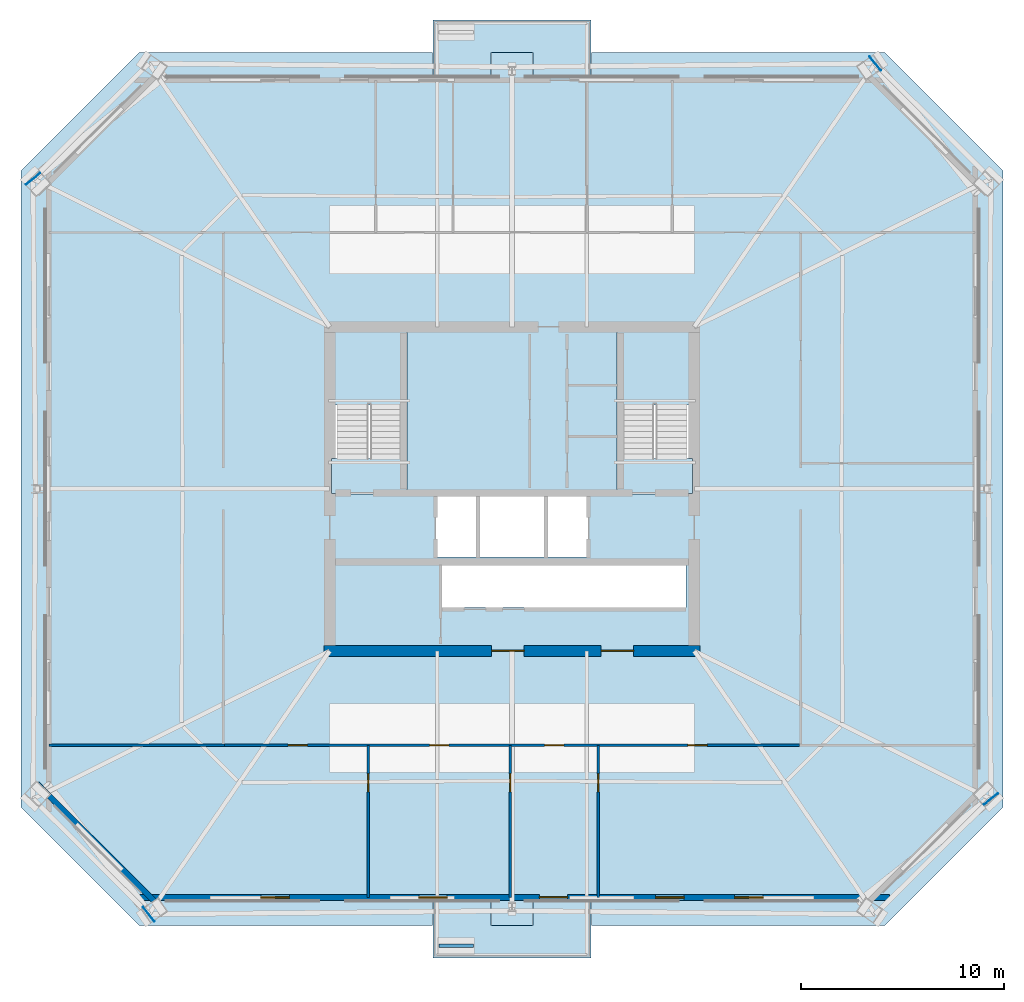
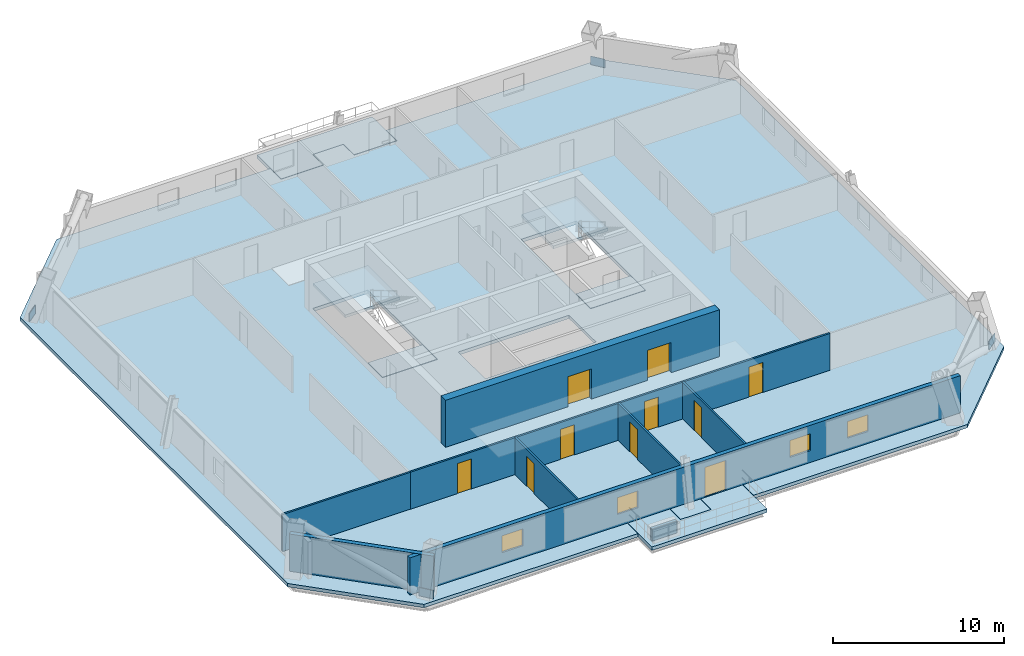
# One storey, part 2 of 7: 10 doors, 9 walls, 7 slabs, 4 plates, 4 windows, 14 openings, 2 elements without a shape of their own.
"""IFC4 building model written with IfcOpenShell, lengths in metres."""

from ifc_helpers import new_model, si_unit, direction, frame, frame_2d, origin, origin_2d, place, context, subcontext, project, spatial, polyline, rectangle, outline, extrude, material, layer, layer_set, type_object, element, fill, aggregate, save


model = new_model("IFC4")

# Units and contexts
model_context = context("Model", 3, precision=1e-05, world=origin(), true_north=direction((0.0, 1.0)))
body_context = subcontext(model_context, "Body", "Model", "MODEL_VIEW")
ifc_project = project(units=[si_unit("LENGTHUNIT", "METRE"), si_unit("AREAUNIT", "SQUARE_METRE"), si_unit("VOLUMEUNIT", "CUBIC_METRE"), si_unit("PLANEANGLEUNIT", "RADIAN"), si_unit("MASSUNIT", "GRAM", prefix="KILO")], contexts=[model_context])

# Site, building, storey
site_placement = place(None, origin())
site = spatial("IfcSite", under=ifc_project, at=site_placement, CompositionType="ELEMENT")
building_placement = place(site_placement, origin())
building = spatial("IfcBuilding", under=site, at=building_placement, Name="Caelvoria Tower", CompositionType="ELEMENT")
storey_placement = place(building_placement, frame((0.0, 0.0, 113.199951171875)))
storey = spatial("IfcBuildingStorey", under=building, at=storey_placement, Name="L29", CompositionType="ELEMENT", Elevation=113.199951171875)

# Plates
ifc_material_1 = material(Name="Structural Steel ASTM A572 Gr.50", Category="steel")
ifc_layer_1 = layer(ifc_material_1, 0.0400390625, Name="Structural Steel ASTM A572 Gr.50")
ifc_layer_set_1 = layer_set([ifc_layer_1], Name="Megaframe Node Gusset Plate 900x600x40 - Structural Steel ASTM A572 Gr.50")
plate_type = type_object("IfcPlateType", Name="Megaframe Node Gusset Plate 900x600x40", PredefinedType="USERDEFINED", material=ifc_layer_set_1)
for number, where, z_axis, x_axis, name in (
    (1, (69.6455078125, 16.69140625, 0.02001953125), (0.0, 0.0, 1.0), (-0.784793677723, -0.619757116463, 0.0), "Chamfer Mega Brace Gusset L29 SE"),
    (2, (63.9326171875, 53.00244140625, 0.02001953125), (0.0, 0.0, 1.0), (0.620872813636, -0.783911314683, 0.0), "Chamfer Mega Brace Gusset L29 NE"),
    (3, (22.3544921875, 47.30859375, 0.02001953125), (0.0, 0.0, 1.0), (0.784793677723, 0.619757116463, 0.0), "Chamfer Mega Brace Gusset L29 NW"),
    (4, (28.0673828125, 10.99755859375, 0.02001953125), (0.0, 0.0, 1.0), (-0.620872813636, 0.783911314683, 0.0), "Chamfer Mega Brace Gusset L29 SW"),
):
    element("IfcPlate", number, at=place(storey_placement, frame(where, z_axis=z_axis, x_axis=x_axis)), inside=storey, type_object=plate_type, Name=name, ObjectType="GUSSET_PLATE", PredefinedType="USERDEFINED", context=body_context, shape_type="SweptSolid", body=[
        extrude(rectangle(XDim=0.89990234375, YDim=0.0400390625, at=origin_2d()), origin(), (0.0, 0.0, 1.0), 0.60009765625),
    ])

# Stair, slabs
ifc_material_2 = material(Name="Concrete C40/50", Category="concrete")
stair_type = type_object("IfcStairType", Name="Core Smokeproof Dogleg Stair Concrete C40/50", PredefinedType="HALF_TURN_STAIR", material=ifc_material_2)
stair_1_placement = place(storey_placement, origin())
stair_1 = element("IfcStair", 5, at=stair_1_placement, inside=storey, type_object=stair_type, Name="ST-01 Smokeproof Exit Stair L29", PredefinedType="HALF_TURN_STAIR")
ifc_layer_2 = layer(ifc_material_2, 0.199951171875, Name="Concrete C40/50")
ifc_layer_set_2 = layer_set([ifc_layer_2], Name="Stair Half and Floor Landing Slab 200 Concrete C40/50 - Concrete C40/50")
slab_type_1 = type_object("IfcSlabType", Name="Stair Half and Floor Landing Slab 200 Concrete C40/50", PredefinedType="LANDING", material=ifc_layer_set_2)
slab_1_placement = place(storey_placement, frame((0.0, 0.0, -0.199951171875)))
slab_1 = element("IfcSlab", 6, at=slab_1_placement, type_object=slab_type_1, Name="ST-01 landing 1", PredefinedType="LANDING", context=body_context, shape_type="SweptSolid", body=[
    extrude(outline(polyline([(37.10009765625, 31.77001953125), (40.800048828125, 31.77001953125), (40.800048828125, 33.5), (37.10009765625, 33.5), (37.10009765625, 31.77001953125)])), origin(), (0.0, 0.0, 1.0), 0.199951171875),
])
slab_2_placement = place(storey_placement, frame((0.0, 0.0, 1.60009765625)))
slab_2 = element("IfcSlab", 7, at=slab_2_placement, type_object=slab_type_1, Name="ST-01 landing 2", PredefinedType="LANDING", context=body_context, shape_type="SweptSolid", body=[
    extrude(outline(polyline([(37.10009765625, 36.14990234375), (40.800048828125, 36.14990234375), (40.800048828125, 39.89990234375), (37.10009765625, 39.89990234375), (37.10009765625, 36.14990234375)])), origin(), (0.0, 0.0, 1.0), 0.199951171875),
])
aggregate(stair_1, [slab_1, slab_2])

stair_2_placement = place(storey_placement, origin())
stair_2 = element("IfcStair", 8, at=stair_2_placement, inside=storey, type_object=stair_type, Name="ST-02 Smokeproof Exit Stair L29", PredefinedType="HALF_TURN_STAIR")
slab_3_placement = place(storey_placement, frame((0.0, 0.0, -0.199951171875)))
slab_3 = element("IfcSlab", 9, at=slab_3_placement, type_object=slab_type_1, Name="ST-02 landing 1", PredefinedType="LANDING", context=body_context, shape_type="SweptSolid", body=[
    extrude(outline(polyline([(51.199951171875, 31.77001953125), (54.89990234375, 31.77001953125), (54.89990234375, 33.5), (51.199951171875, 33.5), (51.199951171875, 31.77001953125)])), origin(), (0.0, 0.0, 1.0), 0.199951171875),
])
slab_4_placement = place(storey_placement, frame((0.0, 0.0, 1.60009765625)))
slab_4 = element("IfcSlab", 10, at=slab_4_placement, type_object=slab_type_1, Name="ST-02 landing 2", PredefinedType="LANDING", context=body_context, shape_type="SweptSolid", body=[
    extrude(outline(polyline([(51.199951171875, 36.14990234375), (54.89990234375, 36.14990234375), (54.89990234375, 39.89990234375), (51.199951171875, 39.89990234375), (51.199951171875, 36.14990234375)])), origin(), (0.0, 0.0, 1.0), 0.199951171875),
])
aggregate(stair_2, [slab_3, slab_4])

# Slabs
ifc_layer_3 = layer(ifc_material_2, 0.239990234375, Name="Concrete C40/50")
ifc_layer_set_3 = layer_set([ifc_layer_3], Name="Tower Composite Office Slab 240 - Concrete C40/50")
slab_type_2 = type_object("IfcSlabType", Name="Tower Composite Office Slab 240", PredefinedType="FLOOR", material=ifc_layer_set_3)
slab_5_placement = place(storey_placement, frame((0.0, 0.0, -0.239990234375)))
element("IfcSlab", 11, at=slab_5_placement, inside=storey, type_object=slab_type_2, Name="Level L29 Structural Floor Slab", PredefinedType="FLOOR", context=body_context, shape_type="SweptSolid", body=[
    extrude(outline(polyline([(21.75, 47.699951171875), (21.75, 16.300048828125), (27.60009765625, 10.449951171875), (42.080078125, 10.449951171875), (42.080078125, 11.7099609375), (44.97998046875, 11.7099609375), (44.97998046875, 10.449951171875), (47.02001953125, 10.449951171875), (47.02001953125, 11.7099609375), (49.919921875, 11.7099609375), (49.919921875, 10.449951171875), (64.39990234375, 10.449951171875), (70.25, 16.300048828125), (70.25, 47.699951171875), (64.39990234375, 53.550048828125), (49.919921875, 53.550048828125), (49.919921875, 52.2900390625), (47.02001953125, 52.2900390625), (47.02001953125, 53.550048828125), (44.97998046875, 53.550048828125), (44.97998046875, 52.2900390625), (42.080078125, 52.2900390625), (42.080078125, 53.550048828125), (27.60009765625, 53.550048828125), (21.75, 47.699951171875)]), holes=[polyline([(37.080078125, 31.75), (40.820068359375, 31.75), (40.820068359375, 39.919921875), (37.080078125, 39.919921875), (37.080078125, 31.75)]), polyline([(51.179931640625, 31.75), (54.919921875, 31.75), (54.919921875, 39.919921875), (51.179931640625, 39.919921875), (51.179931640625, 31.75)]), polyline([(42.25, 28.64990234375), (49.75, 28.64990234375), (49.75, 31.800048828125), (42.25, 31.800048828125), (42.25, 28.64990234375)]), polyline([(42.550048828125, 26.14990234375), (54.60009765625, 26.14990234375), (54.60009765625, 28.25), (42.550048828125, 28.25), (42.550048828125, 26.14990234375)])]), origin(), (0.0, 0.0, 1.0), 0.239990234375),
])
ifc_material_3 = material(Name="Concrete C45/55", Category="concrete")
ifc_layer_4 = layer(ifc_material_3, 0.25, Name="Concrete C45/55")
ifc_layer_set_4 = layer_set([ifc_layer_4], Name="Tree Balcony Structural Planter Slab 250 - Concrete C45/55")
slab_type_3 = type_object("IfcSlabType", Name="Tree Balcony Structural Planter Slab 250", PredefinedType="FLOOR", material=ifc_layer_set_4)
slab_6_placement = place(storey_placement, frame((0.0, 0.0, -0.25)))
element("IfcSlab", 12, at=slab_6_placement, inside=storey, type_object=slab_type_3, Name="Tree Balcony Slab TB-L29-S", PredefinedType="FLOOR", context=body_context, shape_type="SweptSolid", body=[
    extrude(outline(polyline([(49.89990234375, 10.449951171875), (49.89990234375, 11.68994140625), (47.0400390625, 11.68994140625), (47.0400390625, 10.449951171875), (44.9599609375, 10.449951171875), (44.9599609375, 11.68994140625), (42.10009765625, 11.68994140625), (42.10009765625, 10.449951171875), (42.10009765625, 8.85009765625), (49.89990234375, 8.85009765625), (49.89990234375, 10.449951171875)])), origin(), (0.0, 0.0, 1.0), 0.25),
])
slab_7_placement = place(storey_placement, frame((0.0, 0.0, -0.25)))
element("IfcSlab", 13, at=slab_7_placement, inside=storey, type_object=slab_type_3, Name="Tree Balcony Slab TB-L29-N", PredefinedType="FLOOR", context=body_context, shape_type="SweptSolid", body=[
    extrude(outline(polyline([(42.10009765625, 55.14990234375), (42.10009765625, 53.550048828125), (42.10009765625, 52.31005859375), (44.9599609375, 52.31005859375), (44.9599609375, 53.550048828125), (47.0400390625, 53.550048828125), (47.0400390625, 52.31005859375), (49.89990234375, 52.31005859375), (49.89990234375, 53.550048828125), (49.89990234375, 55.14990234375), (42.10009765625, 55.14990234375)])), origin(), (0.0, 0.0, 1.0), 0.25),
])

# Wall
ifc_material_4 = material(Name="Bronze-Clad Concrete C40/50", Category="concrete")
ifc_layer_5 = layer(ifc_material_4, 0.179931640625, Name="Bronze-Clad Concrete C40/50")
ifc_layer_set_5 = layer_set([ifc_layer_5], Name="Architectural Planter Kerb Wall 180 - Bronze-Clad Concrete C40/50")
wall_type_1 = type_object("IfcWallType", Name="Architectural Planter Kerb Wall 180", PredefinedType="PARAPET", material=ifc_layer_set_5)
wall_1_placement = place(storey_placement, frame((42.39990234375, 9.449951171875, 0.0), z_axis=(0.0, 0.0, 1.0), x_axis=(1.0, 0.0, 0.0)))
element("IfcWall", 14, at=wall_1_placement, inside=storey, type_object=wall_type_1, Name="Tree Balcony Planter Kerb PLANTER TB-L29-S", PredefinedType="PARAPET", context=body_context, shape_type="SweptSolid", body=[
    extrude(rectangle(XDim=1.7001953125, YDim=0.179931640625, at=frame_2d((0.85009765625, 0.0))), origin(), (0.0, 0.0, 1.0), 0.880126953125),
])

# Wall, openings, windows, door
ifc_material_5 = material(Name="Precast Concrete C40/50 with Bronze Cladding", Category="concrete")
ifc_layer_6 = layer(ifc_material_5, 0.280029296875, Name="Precast Concrete C40/50 with Bronze Cladding")
ifc_layer_set_6 = layer_set([ifc_layer_6], Name="Exterior Precast Concrete C40/50 Bronze-Clad Facade Wall 280 - Precast Concrete C40/50 with Bronze Cladding")
wall_type_2 = type_object("IfcWallType", Name="Exterior Precast Concrete C40/50 Bronze-Clad Facade Wall 280", PredefinedType="STANDARD", material=ifc_layer_set_6)
wall_2_placement = place(storey_placement, frame((27.360107421875, 11.830078125, 0.0), z_axis=(0.0, 0.0, 1.0), x_axis=(1.0, 0.0, 0.0)))
wall_2 = element("IfcWall", 15, at=wall_2_placement, inside=storey, type_object=wall_type_2, Name="Exterior Facade Wall L29-E0", PredefinedType="STANDARD", context=body_context, shape_type="SweptSolid", body=[
    extrude(rectangle(XDim=37.27978515625, YDim=0.280029296875, at=frame_2d((18.639892578125, 0.0))), origin(), (0.0, 0.0, 1.0), 2.662109375),
])
opening_1_placement = place(wall_2_placement, frame((19.989990234375, 0.0, 0.0)))
opening_1 = element("IfcOpeningElement", 16, at=opening_1_placement, cuts=wall_2, Name="Opening ED-04", PredefinedType="OPENING", context=body_context, shape_type="SweptSolid", body=[
    extrude(rectangle(XDim=1.39990234375, YDim=2.14990234375, at=frame_2d((0.699951171875, 1.074951171875))), frame((0.0, 0.14990234375, 0.0), z_axis=(0.0, -1.0, 0.0), x_axis=(1.0, 0.0, 0.0)), (0.0, 0.0, 1.0), 0.300048828125),
])
opening_2_placement = place(wall_2_placement, frame((6.24658203125, 0.0, 0.85009765625)))
opening_2 = element("IfcOpeningElement", 17, at=opening_2_placement, cuts=wall_2, Name="Opening WN-06", PredefinedType="OPENING", context=body_context, shape_type="SweptSolid", body=[
    extrude(rectangle(XDim=1.39990234375, YDim=1.199951171875, at=frame_2d((0.699951171875, 0.60009765625))), frame((0.0, 0.14990234375, 0.0), z_axis=(0.0, -1.0, 0.0), x_axis=(1.0, 0.0, 0.0)), (0.0, 0.0, 1.0), 0.300048828125),
])
opening_3_placement = place(wall_2_placement, frame((14.042236328125, 0.0, 0.85009765625)))
opening_3 = element("IfcOpeningElement", 18, at=opening_3_placement, cuts=wall_2, Name="Opening WN-06", PredefinedType="OPENING", context=body_context, shape_type="SweptSolid", body=[
    extrude(rectangle(XDim=1.39990234375, YDim=1.199951171875, at=frame_2d((0.699951171875, 0.60009765625))), frame((0.0, 0.14990234375, 0.0), z_axis=(0.0, -1.0, 0.0), x_axis=(1.0, 0.0, 0.0)), (0.0, 0.0, 1.0), 0.300048828125),
])
opening_4_placement = place(wall_2_placement, frame((25.735595703125, 0.0, 0.85009765625)))
opening_4 = element("IfcOpeningElement", 19, at=opening_4_placement, cuts=wall_2, Name="Opening WN-06", PredefinedType="OPENING", context=body_context, shape_type="SweptSolid", body=[
    extrude(rectangle(XDim=1.39990234375, YDim=1.199951171875, at=frame_2d((0.699951171875, 0.60009765625))), frame((0.0, 0.14990234375, 0.0), z_axis=(0.0, -1.0, 0.0), x_axis=(1.0, 0.0, 0.0)), (0.0, 0.0, 1.0), 0.300048828125),
])
opening_5_placement = place(wall_2_placement, frame((29.63330078125, 0.0, 0.85009765625)))
opening_5 = element("IfcOpeningElement", 20, at=opening_5_placement, cuts=wall_2, Name="Opening WN-06", PredefinedType="OPENING", context=body_context, shape_type="SweptSolid", body=[
    extrude(rectangle(XDim=1.39990234375, YDim=1.199951171875, at=frame_2d((0.699951171875, 0.60009765625))), frame((0.0, 0.14990234375, 0.0), z_axis=(0.0, -1.0, 0.0), x_axis=(1.0, 0.0, 0.0)), (0.0, 0.0, 1.0), 0.300048828125),
])
ifc_material_6 = material(Name="Low-E Tinted Glass in Bronze Aluminium Frame", Category="aluminium")
window_type = type_object("IfcWindowType", Name="Podium Clerestory Window 1400x1200", PartitioningType="SINGLE_PANEL", PredefinedType="WINDOW", material=ifc_material_6)
window_1_placement = place(opening_2_placement, origin())
window_1 = element("IfcWindow", 21, at=window_1_placement, inside=storey, type_object=window_type, Name="Facade Window L29-E0-01", OverallHeight=1.199951171875, OverallWidth=1.39990234375, PartitioningType="SINGLE_PANEL", PredefinedType="WINDOW", context=body_context, shape_type="SweptSolid", body=[
    extrude(rectangle(XDim=1.39990234375, YDim=1.199951171875, at=frame_2d((0.699951171875, 0.60009765625))), frame((0.0, 0.030029296875, 0.0), z_axis=(0.0, -1.0, 0.0), x_axis=(1.0, 0.0, 0.0)), (0.0, 0.0, 1.0), 0.06005859375),
])
fill(opening_2, window_1)
window_2_placement = place(opening_3_placement, origin())
window_2 = element("IfcWindow", 22, at=window_2_placement, inside=storey, type_object=window_type, Name="Facade Window L29-E0-03", OverallHeight=1.199951171875, OverallWidth=1.39990234375, PartitioningType="SINGLE_PANEL", PredefinedType="WINDOW", context=body_context, shape_type="SweptSolid", body=[
    extrude(rectangle(XDim=1.39990234375, YDim=1.199951171875, at=frame_2d((0.699951171875, 0.60009765625))), frame((0.0, 0.030029296875, 0.0), z_axis=(0.0, -1.0, 0.0), x_axis=(1.0, 0.0, 0.0)), (0.0, 0.0, 1.0), 0.06005859375),
])
fill(opening_3, window_2)
window_3_placement = place(opening_4_placement, origin())
window_3 = element("IfcWindow", 23, at=window_3_placement, inside=storey, type_object=window_type, Name="Facade Window L29-E0-06", OverallHeight=1.199951171875, OverallWidth=1.39990234375, PartitioningType="SINGLE_PANEL", PredefinedType="WINDOW", context=body_context, shape_type="SweptSolid", body=[
    extrude(rectangle(XDim=1.39990234375, YDim=1.199951171875, at=frame_2d((0.699951171875, 0.60009765625))), frame((0.0, 0.030029296875, 0.0), z_axis=(0.0, -1.0, 0.0), x_axis=(1.0, 0.0, 0.0)), (0.0, 0.0, 1.0), 0.06005859375),
])
fill(opening_4, window_3)
window_4_placement = place(opening_5_placement, origin())
window_4 = element("IfcWindow", 24, at=window_4_placement, inside=storey, type_object=window_type, Name="Facade Window L29-E0-07", OverallHeight=1.199951171875, OverallWidth=1.39990234375, PartitioningType="SINGLE_PANEL", PredefinedType="WINDOW", context=body_context, shape_type="SweptSolid", body=[
    extrude(rectangle(XDim=1.39990234375, YDim=1.199951171875, at=frame_2d((0.699951171875, 0.60009765625))), frame((0.0, 0.030029296875, 0.0), z_axis=(0.0, -1.0, 0.0), x_axis=(1.0, 0.0, 0.0)), (0.0, 0.0, 1.0), 0.06005859375),
])
fill(opening_5, window_4)
ifc_material_7 = material(Name="Anodised Bronze Aluminium and Laminated Glass", Category="aluminium")
door_type_1 = type_object("IfcDoorType", Name="Tree Balcony Glazed Door 1400x2150", OperationType="NOTDEFINED", PredefinedType="DOOR", material=ifc_material_7)
door_1_placement = place(opening_1_placement, origin())
door_1 = element("IfcDoor", 25, at=door_1_placement, inside=storey, type_object=door_type_1, Name="Tree Balcony Door L29-S", OperationType="SINGLE_SWING_RIGHT", OverallHeight=2.14990234375, OverallWidth=1.39990234375, PredefinedType="DOOR", context=body_context, shape_type="SweptSolid", body=[
    extrude(rectangle(XDim=1.39990234375, YDim=2.14990234375, at=frame_2d((0.699951171875, 1.074951171875))), frame((0.0, 0.02490234375, 0.0), z_axis=(0.0, -1.0, 0.0), x_axis=(1.0, 0.0, 0.0)), (0.0, 0.0, 1.0), 0.050048828125),
])
fill(opening_1, door_1)

# Wall
wall_3_placement = place(storey_placement, frame((22.55615234375, 17.445556640625, 0.0), z_axis=(0.0, 0.0, 1.0), x_axis=(0.707106781187, -0.707106781187, 0.0)))
element("IfcWall", 26, at=wall_3_placement, inside=storey, type_object=wall_type_2, Name="Exterior Facade Wall L29-E7", PredefinedType="STANDARD", context=body_context, shape_type="SweptSolid", body=[
    extrude(rectangle(XDim=8.753173828125, YDim=0.280029296875, at=frame_2d((4.37646484375, 0.0))), origin(), (0.0, 0.0, 1.0), 2.662109375),
])

# Wall, openings, doors
ifc_material_8 = material(Name="Concrete C55/67", Category="concrete")
ifc_layer_7 = layer(ifc_material_8, 0.550048828125, Name="Concrete C55/67")
ifc_layer_set_7 = layer_set([ifc_layer_7], Name="Mid Core Shear Wall 550 - Concrete C55/67")
wall_type_3 = type_object("IfcWallType", Name="Mid Core Shear Wall 550", PredefinedType="SHEAR", material=ifc_layer_set_7)
wall_4_placement = place(storey_placement, frame((36.72509765625, 24.0, 0.0), z_axis=(0.0, 0.0, 1.0), x_axis=(1.0, 0.0, 0.0)))
wall_4 = element("IfcWall", 27, at=wall_4_placement, inside=storey, type_object=wall_type_3, Name="Core Shear Wall L29 S", PredefinedType="SHEAR", context=body_context, shape_type="SweptSolid", body=[
    extrude(rectangle(XDim=18.5498046875, YDim=0.550048828125, at=frame_2d((9.27490234375, 0.0))), origin(), (0.0, 0.0, 1.0), 3.360107421875),
])
opening_6_placement = place(wall_4_placement, frame((8.27490234375, 0.0, 0.0)))
opening_6 = element("IfcOpeningElement", 28, at=opening_6_placement, cuts=wall_4, Name="Opening ID-08", PredefinedType="OPENING", context=body_context, shape_type="SweptSolid", body=[
    extrude(rectangle(XDim=1.60009765625, YDim=2.14990234375, at=frame_2d((0.800048828125, 1.074951171875))), frame((0.0, 0.284912109375, 0.0), z_axis=(0.0, -1.0, 0.0), x_axis=(1.0, 0.0, 0.0)), (0.0, 0.0, 1.0), 0.570068359375),
])
opening_7_placement = place(wall_4_placement, frame((13.675048828125, 0.0, 0.0)))
opening_7 = element("IfcOpeningElement", 29, at=opening_7_placement, cuts=wall_4, Name="Opening ID-08", PredefinedType="OPENING", context=body_context, shape_type="SweptSolid", body=[
    extrude(rectangle(XDim=1.60009765625, YDim=2.14990234375, at=frame_2d((0.800048828125, 1.074951171875))), frame((0.0, 0.284912109375, 0.0), z_axis=(0.0, -1.0, 0.0), x_axis=(1.0, 0.0, 0.0)), (0.0, 0.0, 1.0), 0.570068359375),
])
ifc_material_9 = material(Name="Bronze-Framed Fire-Rated Glazed Double Door", Category="aluminium")
door_type_2 = type_object("IfcDoorType", Name="Double Lobby Glazed Door 1600x2200", OperationType="NOTDEFINED", PredefinedType="DOOR", material=ifc_material_9)
door_2_placement = place(opening_6_placement, origin())
door_2 = element("IfcDoor", 30, at=door_2_placement, inside=storey, type_object=door_type_2, Name="Core Door DR-L29-LLOB-S1", OperationType="DOUBLE_DOOR_SINGLE_SWING", OverallHeight=2.14990234375, OverallWidth=1.60009765625, PredefinedType="DOOR", context=body_context, shape_type="SweptSolid", body=[
    extrude(rectangle(XDim=1.60009765625, YDim=2.14990234375, at=frame_2d((0.800048828125, 1.074951171875))), frame((0.0, 0.02490234375, 0.0), z_axis=(0.0, -1.0, 0.0), x_axis=(1.0, 0.0, 0.0)), (0.0, 0.0, 1.0), 0.050048828125),
])
fill(opening_6, door_2)
door_3_placement = place(opening_7_placement, origin())
door_3 = element("IfcDoor", 31, at=door_3_placement, inside=storey, type_object=door_type_2, Name="Core Door DR-L29-LLOB-S2", OperationType="DOUBLE_DOOR_SINGLE_SWING", OverallHeight=2.14990234375, OverallWidth=1.60009765625, PredefinedType="DOOR", context=body_context, shape_type="SweptSolid", body=[
    extrude(rectangle(XDim=1.60009765625, YDim=2.14990234375, at=frame_2d((0.800048828125, 1.074951171875))), frame((0.0, 0.02490234375, 0.0), z_axis=(0.0, -1.0, 0.0), x_axis=(1.0, 0.0, 0.0)), (0.0, 0.0, 1.0), 0.050048828125),
])
fill(opening_7, door_3)

# Wall, opening, door
ifc_material_10 = material(Name="Acoustic Gypsum Board on Light-Gauge Stud", Category="gypsum")
ifc_layer_8 = layer(ifc_material_10, 0.1201171875, Name="Acoustic Gypsum Board on Light-Gauge Stud")
ifc_layer_set_8 = layer_set([ifc_layer_8], Name="Tenant Suite Acoustic Partition Wall 120 - Acoustic Gypsum Board on Light-Gauge Stud")
wall_type_4 = type_object("IfcWallType", Name="Tenant Suite Acoustic Partition Wall 120", PredefinedType="PARTITIONING", material=ifc_layer_set_8)
wall_5_placement = place(storey_placement, frame((38.91357421875, 19.340087890625, 0.0), z_axis=(0.0, 0.0, 1.0), x_axis=(0.0, -1.0, 0.0)))
wall_5 = element("IfcWall", 32, at=wall_5_placement, inside=storey, type_object=wall_type_4, Name="Interior Partition IW-L29-SD-00-0", PredefinedType="PARTITIONING", context=body_context, shape_type="SweptSolid", body=[
    extrude(rectangle(XDim=7.510009765625, YDim=0.1201171875, at=frame_2d((3.7548828125, 0.0))), origin(), (0.0, 0.0, 1.0), 2.64013671875),
])
opening_8_placement = place(wall_5_placement, frame((1.39990234375, 0.0, 0.0)))
opening_8 = element("IfcOpeningElement", 33, at=opening_8_placement, cuts=wall_5, Name="Opening ID-06", PredefinedType="OPENING", context=body_context, shape_type="SweptSolid", body=[
    extrude(rectangle(XDim=0.89990234375, YDim=2.14990234375, at=frame_2d((0.449951171875, 1.074951171875))), frame((0.0, 0.070068359375, 0.0), z_axis=(0.0, -1.0, 0.0), x_axis=(1.0, 0.0, 0.0)), (0.0, 0.0, 1.0), 0.14013671875),
])
ifc_material_11 = material(Name="Engineered Andean Oak Veneer Door", Category="wood")
door_type_3 = type_object("IfcDoorType", Name="Interior Timber Door 900x2150", OperationType="NOTDEFINED", PredefinedType="DOOR", material=ifc_material_11)
door_4_placement = place(opening_8_placement, origin())
door_4 = element("IfcDoor", 34, at=door_4_placement, inside=storey, type_object=door_type_3, Name="Interior Door DR-L29-SM-00-0", OperationType="SINGLE_SWING_RIGHT", OverallHeight=2.14990234375, OverallWidth=0.89990234375, PredefinedType="DOOR", context=body_context, shape_type="SweptSolid", body=[
    extrude(rectangle(XDim=0.89990234375, YDim=2.14990234375, at=frame_2d((0.449951171875, 1.074951171875))), frame((0.0, 0.02490234375, 0.0), z_axis=(0.0, -1.0, 0.0), x_axis=(1.0, 0.0, 0.0)), (0.0, 0.0, 1.0), 0.050048828125),
])
fill(opening_8, door_4)

wall_6_placement = place(storey_placement, frame((45.908935546875, 19.340087890625, 0.0), z_axis=(0.0, 0.0, 1.0), x_axis=(0.0, -1.0, 0.0)))
wall_6 = element("IfcWall", 35, at=wall_6_placement, inside=storey, type_object=wall_type_4, Name="Interior Partition IW-L29-SD-01-0", PredefinedType="PARTITIONING", context=body_context, shape_type="SweptSolid", body=[
    extrude(rectangle(XDim=7.510009765625, YDim=0.1201171875, at=frame_2d((3.7548828125, 0.0))), origin(), (0.0, 0.0, 1.0), 2.64013671875),
])
opening_9_placement = place(wall_6_placement, frame((1.39990234375, 0.0, 0.0)))
opening_9 = element("IfcOpeningElement", 36, at=opening_9_placement, cuts=wall_6, Name="Opening ID-06", PredefinedType="OPENING", context=body_context, shape_type="SweptSolid", body=[
    extrude(rectangle(XDim=0.89990234375, YDim=2.14990234375, at=frame_2d((0.449951171875, 1.074951171875))), frame((0.0, 0.070068359375, 0.0), z_axis=(0.0, -1.0, 0.0), x_axis=(1.0, 0.0, 0.0)), (0.0, 0.0, 1.0), 0.14013671875),
])
door_5_placement = place(opening_9_placement, origin())
door_5 = element("IfcDoor", 37, at=door_5_placement, inside=storey, type_object=door_type_3, Name="Interior Door DR-L29-SM-01-0", OperationType="SINGLE_SWING_LEFT", OverallHeight=2.14990234375, OverallWidth=0.89990234375, PredefinedType="DOOR", context=body_context, shape_type="SweptSolid", body=[
    extrude(rectangle(XDim=0.89990234375, YDim=2.14990234375, at=frame_2d((0.449951171875, 1.074951171875))), frame((0.0, 0.02490234375, 0.0), z_axis=(0.0, -1.0, 0.0), x_axis=(1.0, 0.0, 0.0)), (0.0, 0.0, 1.0), 0.050048828125),
])
fill(opening_9, door_5)

wall_7_placement = place(storey_placement, frame((50.2666015625, 19.340087890625, 0.0), z_axis=(0.0, 0.0, 1.0), x_axis=(0.0, -1.0, 0.0)))
wall_7 = element("IfcWall", 38, at=wall_7_placement, inside=storey, type_object=wall_type_4, Name="Interior Partition IW-L29-SD-02-0", PredefinedType="PARTITIONING", context=body_context, shape_type="SweptSolid", body=[
    extrude(rectangle(XDim=7.510009765625, YDim=0.1201171875, at=frame_2d((3.7548828125, 0.0))), origin(), (0.0, 0.0, 1.0), 2.64013671875),
])
opening_10_placement = place(wall_7_placement, frame((1.39990234375, 0.0, 0.0)))
opening_10 = element("IfcOpeningElement", 39, at=opening_10_placement, cuts=wall_7, Name="Opening ID-06", PredefinedType="OPENING", context=body_context, shape_type="SweptSolid", body=[
    extrude(rectangle(XDim=0.89990234375, YDim=2.14990234375, at=frame_2d((0.449951171875, 1.074951171875))), frame((0.0, 0.070068359375, 0.0), z_axis=(0.0, -1.0, 0.0), x_axis=(1.0, 0.0, 0.0)), (0.0, 0.0, 1.0), 0.14013671875),
])
door_6_placement = place(opening_10_placement, origin())
door_6 = element("IfcDoor", 40, at=door_6_placement, inside=storey, type_object=door_type_3, Name="Interior Door DR-L29-SM-02-0", OperationType="SINGLE_SWING_RIGHT", OverallHeight=2.14990234375, OverallWidth=0.89990234375, PredefinedType="DOOR", context=body_context, shape_type="SweptSolid", body=[
    extrude(rectangle(XDim=0.89990234375, YDim=2.14990234375, at=frame_2d((0.449951171875, 1.074951171875))), frame((0.0, 0.02490234375, 0.0), z_axis=(0.0, -1.0, 0.0), x_axis=(1.0, 0.0, 0.0)), (0.0, 0.0, 1.0), 0.050048828125),
])
fill(opening_10, door_6)

# Wall, openings, doors
wall_8_placement = place(storey_placement, frame((31.800048828125, 19.340087890625, 0.0), z_axis=(0.0, 0.0, 1.0), x_axis=(1.0, 0.0, 0.0)))
wall_8 = element("IfcWall", 41, at=wall_8_placement, inside=storey, type_object=wall_type_4, Name="Interior Partition IW-L29-SCW-0", PredefinedType="PARTITIONING", context=body_context, shape_type="SweptSolid", body=[
    extrude(rectangle(XDim=28.39990234375, YDim=0.1201171875, at=frame_2d((14.199951171875, 0.0))), origin(), (0.0, 0.0, 1.0), 2.64013671875),
])
opening_11_placement = place(wall_8_placement, frame((3.151611328125, 0.0, 0.0)))
opening_11 = element("IfcOpeningElement", 42, at=opening_11_placement, cuts=wall_8, Name="Opening ID-05", PredefinedType="OPENING", context=body_context, shape_type="SweptSolid", body=[
    extrude(rectangle(XDim=0.949951171875, YDim=2.14990234375, at=frame_2d((0.47509765625, 1.074951171875))), frame((0.0, 0.070068359375, 0.0), z_axis=(0.0, -1.0, 0.0), x_axis=(1.0, 0.0, 0.0)), (0.0, 0.0, 1.0), 0.14013671875),
])
opening_12_placement = place(wall_8_placement, frame((10.13623046875, 0.0, 0.0)))
opening_12 = element("IfcOpeningElement", 43, at=opening_12_placement, cuts=wall_8, Name="Opening ID-05", PredefinedType="OPENING", context=body_context, shape_type="SweptSolid", body=[
    extrude(rectangle(XDim=0.949951171875, YDim=2.14990234375, at=frame_2d((0.47509765625, 1.074951171875))), frame((0.0, 0.070068359375, 0.0), z_axis=(0.0, -1.0, 0.0), x_axis=(1.0, 0.0, 0.0)), (0.0, 0.0, 1.0), 0.14013671875),
])
opening_13_placement = place(wall_8_placement, frame((15.812744140625, 0.0, 0.0)))
opening_13 = element("IfcOpeningElement", 44, at=opening_13_placement, cuts=wall_8, Name="Opening ID-05", PredefinedType="OPENING", context=body_context, shape_type="SweptSolid", body=[
    extrude(rectangle(XDim=0.949951171875, YDim=2.14990234375, at=frame_2d((0.47509765625, 1.074951171875))), frame((0.0, 0.070068359375, 0.0), z_axis=(0.0, -1.0, 0.0), x_axis=(1.0, 0.0, 0.0)), (0.0, 0.0, 1.0), 0.14013671875),
])
opening_14_placement = place(wall_8_placement, frame((22.888427734375, 0.0, 0.0)))
opening_14 = element("IfcOpeningElement", 45, at=opening_14_placement, cuts=wall_8, Name="Opening ID-05", PredefinedType="OPENING", context=body_context, shape_type="SweptSolid", body=[
    extrude(rectangle(XDim=0.949951171875, YDim=2.14990234375, at=frame_2d((0.47509765625, 1.074951171875))), frame((0.0, 0.070068359375, 0.0), z_axis=(0.0, -1.0, 0.0), x_axis=(1.0, 0.0, 0.0)), (0.0, 0.0, 1.0), 0.14013671875),
])
door_type_4 = type_object("IfcDoorType", Name="Interior Timber Door 950x2150", OperationType="NOTDEFINED", PredefinedType="DOOR", material=ifc_material_11)
door_7_placement = place(opening_11_placement, origin())
door_7 = element("IfcDoor", 46, at=door_7_placement, inside=storey, type_object=door_type_4, Name="Interior Door DR-L29-SC-00-0", OperationType="SINGLE_SWING_RIGHT", OverallHeight=2.14990234375, OverallWidth=0.949951171875, PredefinedType="DOOR", context=body_context, shape_type="SweptSolid", body=[
    extrude(rectangle(XDim=0.949951171875, YDim=2.14990234375, at=frame_2d((0.47509765625, 1.074951171875))), frame((0.0, 0.02490234375, 0.0), z_axis=(0.0, -1.0, 0.0), x_axis=(1.0, 0.0, 0.0)), (0.0, 0.0, 1.0), 0.050048828125),
])
fill(opening_11, door_7)
door_8_placement = place(opening_12_placement, origin())
door_8 = element("IfcDoor", 47, at=door_8_placement, inside=storey, type_object=door_type_4, Name="Interior Door DR-L29-SC-01-0", OperationType="SINGLE_SWING_LEFT", OverallHeight=2.14990234375, OverallWidth=0.949951171875, PredefinedType="DOOR", context=body_context, shape_type="SweptSolid", body=[
    extrude(rectangle(XDim=0.949951171875, YDim=2.14990234375, at=frame_2d((0.47509765625, 1.074951171875))), frame((0.0, 0.02490234375, 0.0), z_axis=(0.0, -1.0, 0.0), x_axis=(1.0, 0.0, 0.0)), (0.0, 0.0, 1.0), 0.050048828125),
])
fill(opening_12, door_8)
door_9_placement = place(opening_13_placement, origin())
door_9 = element("IfcDoor", 48, at=door_9_placement, inside=storey, type_object=door_type_4, Name="Interior Door DR-L29-SC-02-0", OperationType="SINGLE_SWING_RIGHT", OverallHeight=2.14990234375, OverallWidth=0.949951171875, PredefinedType="DOOR", context=body_context, shape_type="SweptSolid", body=[
    extrude(rectangle(XDim=0.949951171875, YDim=2.14990234375, at=frame_2d((0.47509765625, 1.074951171875))), frame((0.0, 0.02490234375, 0.0), z_axis=(0.0, -1.0, 0.0), x_axis=(1.0, 0.0, 0.0)), (0.0, 0.0, 1.0), 0.050048828125),
])
fill(opening_13, door_9)
door_10_placement = place(opening_14_placement, origin())
door_10 = element("IfcDoor", 49, at=door_10_placement, inside=storey, type_object=door_type_4, Name="Interior Door DR-L29-SC-03-0", OperationType="SINGLE_SWING_LEFT", OverallHeight=2.14990234375, OverallWidth=0.949951171875, PredefinedType="DOOR", context=body_context, shape_type="SweptSolid", body=[
    extrude(rectangle(XDim=0.949951171875, YDim=2.14990234375, at=frame_2d((0.47509765625, 1.074951171875))), frame((0.0, 0.02490234375, 0.0), z_axis=(0.0, -1.0, 0.0), x_axis=(1.0, 0.0, 0.0)), (0.0, 0.0, 1.0), 0.050048828125),
])
fill(opening_14, door_10)

# Wall
wall_9_placement = place(storey_placement, frame((31.800048828125, 19.340087890625, 0.0), z_axis=(0.0, 0.0, 1.0), x_axis=(-1.0, 0.0, 0.0)))
element("IfcWall", 50, at=wall_9_placement, inside=storey, type_object=wall_type_4, Name="Interior Partition IW-L29-BSW-0", PredefinedType="PARTITIONING", context=body_context, shape_type="SweptSolid", body=[
    extrude(rectangle(XDim=8.670166015625, YDim=0.1201171875, at=frame_2d((4.3349609375, 0.0))), origin(), (0.0, 0.0, 1.0), 2.64013671875),
])

save(model, "model.ifc")
